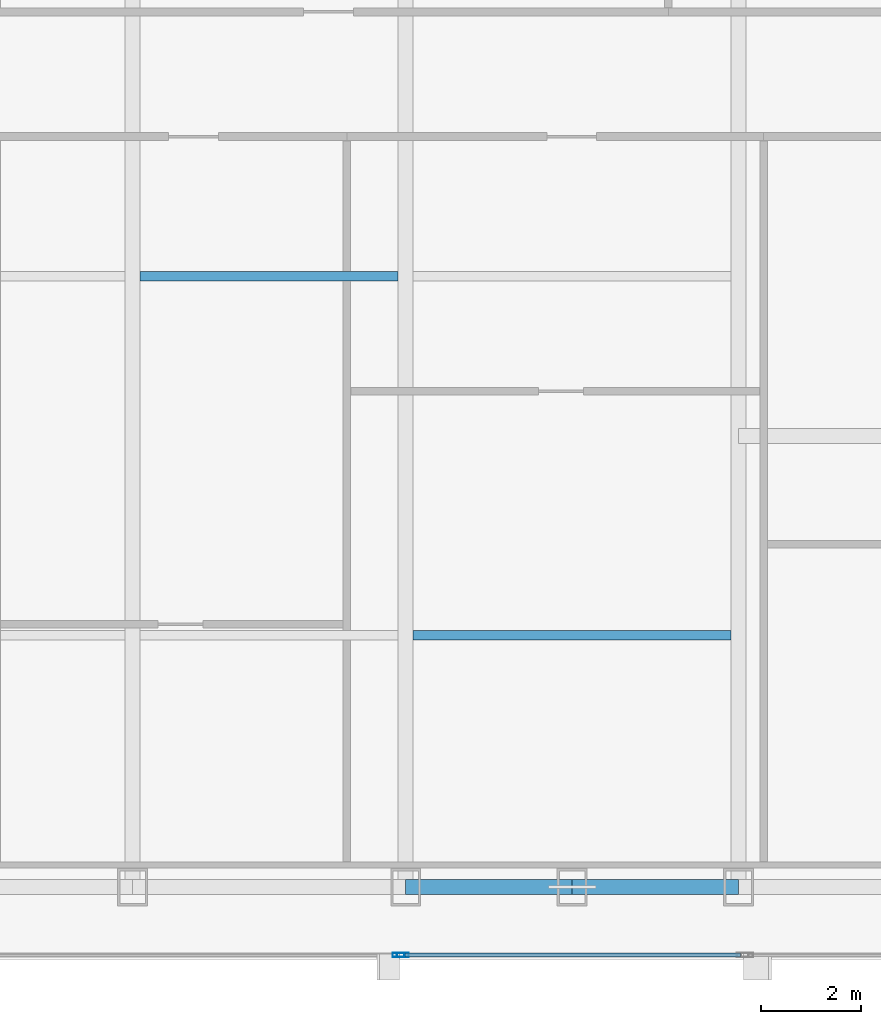
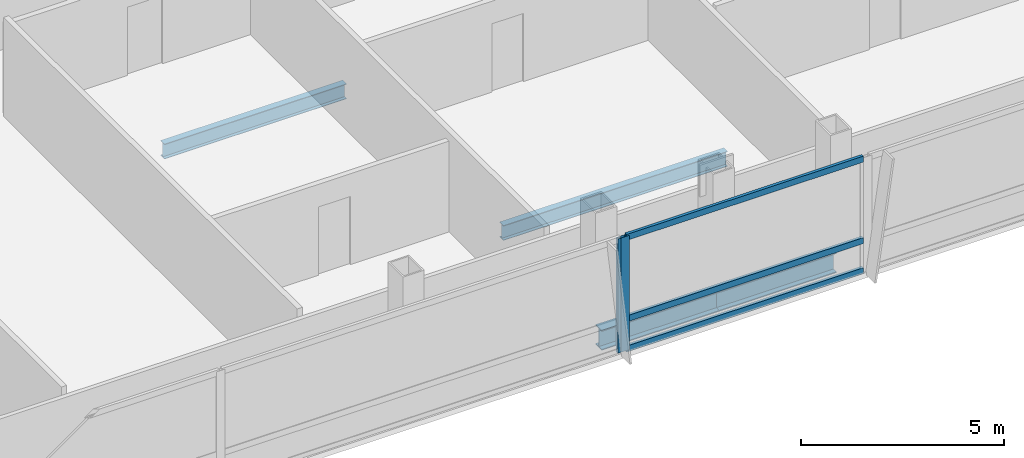
# One storey, part 14 of 32: 5 members, 4 beams, 2 elements without a shape of their own.
"""IFC4 building model written with IfcOpenShell, lengths in metres."""

from ifc_helpers import new_model, si_unit, direction, frame, origin, origin_2d, place, context, subcontext, project, spatial, hollow_rectangle, i_section, extrude, material, material_profile, profile_set, type_object, element, aggregate, save


model = new_model("IFC4")

# Units and contexts
model_context = context("Model", 3, precision=1e-05, world=origin(), true_north=direction((0.0, 1.0)))
body_context = subcontext(model_context, "Body", "Model", "MODEL_VIEW")
ifc_project = project(units=[si_unit("LENGTHUNIT", "METRE"), si_unit("AREAUNIT", "SQUARE_METRE"), si_unit("VOLUMEUNIT", "CUBIC_METRE"), si_unit("PLANEANGLEUNIT", "RADIAN"), si_unit("MASSUNIT", "GRAM", prefix="KILO")], contexts=[model_context])

# Site, building, storey
site_placement = place(None, origin())
site = spatial("IfcSite", under=ifc_project, at=site_placement, CompositionType="ELEMENT")
building_placement = place(site_placement, origin())
building = spatial("IfcBuilding", under=site, at=building_placement, Name="Khoronbel Lancet Exchange", CompositionType="ELEMENT")
storey_placement = place(building_placement, frame((0.0, 0.0, 195.800048828125)))
storey = spatial("IfcBuildingStorey", under=building, at=storey_placement, Name="L49", CompositionType="ELEMENT", Elevation=195.800048828125)

# Beams
ifc_material_1 = material(Name="Steel S355", Category="steel")
ifc_material_profile_1 = material_profile(ifc_material_1, i_section(OverallWidth=0.18994140625, OverallDepth=0.449951171875, WebThickness=0.009521484375, FlangeThickness=0.0146484375, at=origin_2d()), Name="IPE 450")
ifc_profile_set_1 = profile_set([ifc_material_profile_1], Name="Steel S355")
beam_type_1 = type_object("IfcBeamType", Name="BM-BJ4", PredefinedType="JOIST", material=ifc_profile_set_1)
beam_1_placement = place(storey_placement, frame((48.14990234375, 15.199951171875, -0.385009765625), z_axis=(1.0, 0.0, 0.0), x_axis=(0.0, 1.0, 0.0)))
element("IfcBeam", 1, at=beam_1_placement, inside=storey, type_object=beam_type_1, Name="Level L49 secondary composite joist J05", PredefinedType="JOIST", context=body_context, shape_type="SweptSolid", body=[
    extrude(i_section(OverallWidth=0.18994140625, OverallDepth=0.449951171875, WebThickness=0.009521484375, FlangeThickness=0.0146484375, at=origin_2d()), origin(), (0.0, 0.0, 1.0), 6.375),
])
beam_2_placement = place(storey_placement, frame((42.675048828125, 22.39990234375, -0.385009765625), z_axis=(1.0, 0.0, 0.0), x_axis=(0.0, 1.0, 0.0)))
element("IfcBeam", 2, at=beam_2_placement, inside=storey, type_object=beam_type_1, Name="Level L49 secondary composite joist J09", PredefinedType="JOIST", context=body_context, shape_type="SweptSolid", body=[
    extrude(i_section(OverallWidth=0.18994140625, OverallDepth=0.449951171875, WebThickness=0.009521484375, FlangeThickness=0.0146484375, at=origin_2d()), origin(), (0.0, 0.0, 1.0), 5.175048828125),
])
ifc_material_profile_2 = material_profile(ifc_material_1, i_section(OverallWidth=0.300048828125, OverallDepth=0.60009765625, WebThickness=0.015380859375, FlangeThickness=0.030029296875, at=origin_2d()), Name="HEB 600")
ifc_profile_set_2 = profile_set([ifc_material_profile_2], Name="Steel S355")
beam_type_2 = type_object("IfcBeamType", Name="BM-BSP2", PredefinedType="SPANDREL", material=ifc_profile_set_2)
beam_3_placement = place(storey_placement, frame((48.0, 10.14990234375, -0.4599609375), z_axis=(1.0, 0.0, 0.0), x_axis=(0.0, 1.0, 0.0)))
element("IfcBeam", 3, at=beam_3_placement, inside=storey, type_object=beam_type_2, Name="Level L49 perimeter spandrel beam SP07", PredefinedType="SPANDREL", context=body_context, shape_type="SweptSolid", body=[
    extrude(i_section(OverallWidth=0.300048828125, OverallDepth=0.60009765625, WebThickness=0.015380859375, FlangeThickness=0.030029296875, at=origin_2d()), origin(), (0.0, 0.0, 1.0), 3.33740234375),
])
beam_4_placement = place(storey_placement, frame((51.33740234375, 10.14990234375, -0.4599609375), z_axis=(1.0, 0.0, 0.0), x_axis=(0.0, 1.0, 0.0)))
element("IfcBeam", 4, at=beam_4_placement, inside=storey, type_object=beam_type_2, Name="Level L49 perimeter spandrel beam SP08", PredefinedType="SPANDREL", context=body_context, shape_type="SweptSolid", body=[
    extrude(i_section(OverallWidth=0.300048828125, OverallDepth=0.60009765625, WebThickness=0.015380859375, FlangeThickness=0.030029296875, at=origin_2d()), origin(), (0.0, 0.0, 1.0), 3.337646484375),
])

# Curtain wall, member
ifc_material_2 = material(Name="Low-E Solar Control Insulating Glass", Category="glass")
curtain_wall_type = type_object("IfcCurtainWallType", Name="CW-3", PredefinedType="NOTDEFINED", material=ifc_material_2)
curtain_wall_1_placement = place(storey_placement, origin())
curtain_wall_1 = element("IfcCurtainWall", 5, at=curtain_wall_1_placement, inside=storey, type_object=curtain_wall_type, Name="Unitised curtain wall CW-L49-SCV", PredefinedType="NOTDEFINED")
ifc_material_3 = material(Name="Bronze-Anodised Aluminium 6063-T6", Category="aluminium")
ifc_material_profile_3 = material_profile(ifc_material_3, hollow_rectangle(XDim=0.0849609375, YDim=0.239990234375, WallThickness=0.006103515625, at=origin_2d()), Name="ALU MULLION 85x240")
ifc_profile_set_3 = profile_set([ifc_material_profile_3], Name="Bronze-Anodised Aluminium 6063-T6")
member_type_1 = type_object("IfcMemberType", Name="MEM-CWM1", PredefinedType="MULLION", material=ifc_profile_set_3)
member_1_placement = place(storey_placement, frame((47.857421875, 8.7900390625, 0.0), z_axis=(0.0, 0.0, 1.0), x_axis=(0.0, 1.0, 0.0)))
member_1 = element("IfcMember", 6, at=member_1_placement, type_object=member_type_1, Name="CW3 mullion 3", PredefinedType="MULLION", context=body_context, shape_type="SweptSolid", body=[
    extrude(hollow_rectangle(XDim=0.0849609375, YDim=0.239990234375, WallThickness=0.006103515625, at=origin_2d()), origin(), (0.0, 0.0, 1.0), 3.43994140625),
])
aggregate(curtain_wall_1, [member_1])

# Curtain wall, members
curtain_wall_2_placement = place(storey_placement, origin())
curtain_wall_2 = element("IfcCurtainWall", 7, at=curtain_wall_2_placement, inside=storey, type_object=curtain_wall_type, Name="Unitised curtain wall CW-L49-SEB", PredefinedType="NOTDEFINED")
member_2_placement = place(storey_placement, frame((47.9423828125, 8.7900390625, 0.0), z_axis=(0.0, 0.0, 1.0), x_axis=(0.0, 1.0, 0.0)))
member_2 = element("IfcMember", 8, at=member_2_placement, type_object=member_type_1, Name="CW3 mullion 1", PredefinedType="MULLION", context=body_context, shape_type="SweptSolid", body=[
    extrude(hollow_rectangle(XDim=0.0849609375, YDim=0.239990234375, WallThickness=0.006103515625, at=origin_2d()), origin(), (0.0, 0.0, 1.0), 3.43994140625),
])
ifc_material_profile_4 = material_profile(ifc_material_3, hollow_rectangle(XDim=0.0849609375, YDim=0.179931640625, WallThickness=0.0048828125, at=origin_2d()), Name="ALU TRANSOM 85x180")
ifc_profile_set_4 = profile_set([ifc_material_profile_4], Name="Bronze-Anodised Aluminium 6063-T6")
member_type_2 = type_object("IfcMemberType", Name="MEM-CWT1", PredefinedType="USERDEFINED", material=ifc_profile_set_4)
member_3_placement = place(storey_placement, frame((47.985107421875, 8.7900390625, 0.04248046875), z_axis=(1.0, 0.0, 0.0), x_axis=(0.0, 1.0, 0.0)))
member_3 = element("IfcMember", 9, at=member_3_placement, type_object=member_type_2, Name="CW3 transom 1.1", ObjectType="TRANSOM", PredefinedType="USERDEFINED", context=body_context, shape_type="SweptSolid", body=[
    extrude(hollow_rectangle(XDim=0.0849609375, YDim=0.179931640625, WallThickness=0.0048828125, at=origin_2d()), origin(), (0.0, 0.0, 1.0), 6.72998046875),
])
member_4_placement = place(storey_placement, frame((47.985107421875, 8.7900390625, 0.949951171875), z_axis=(1.0, 0.0, 0.0), x_axis=(0.0, 1.0, 0.0)))
member_4 = element("IfcMember", 10, at=member_4_placement, type_object=member_type_2, Name="CW3 transom 1.2", ObjectType="TRANSOM", PredefinedType="USERDEFINED", context=body_context, shape_type="SweptSolid", body=[
    extrude(hollow_rectangle(XDim=0.0849609375, YDim=0.179931640625, WallThickness=0.0048828125, at=origin_2d()), origin(), (0.0, 0.0, 1.0), 6.72998046875),
])
member_5_placement = place(storey_placement, frame((47.985107421875, 8.7900390625, 3.3974609375), z_axis=(1.0, 0.0, 0.0), x_axis=(0.0, 1.0, 0.0)))
member_5 = element("IfcMember", 11, at=member_5_placement, type_object=member_type_2, Name="CW3 transom 1.3", ObjectType="TRANSOM", PredefinedType="USERDEFINED", context=body_context, shape_type="SweptSolid", body=[
    extrude(hollow_rectangle(XDim=0.0849609375, YDim=0.179931640625, WallThickness=0.0048828125, at=origin_2d()), origin(), (0.0, 0.0, 1.0), 6.72998046875),
])
aggregate(curtain_wall_2, [member_2, member_3, member_4, member_5])

save(model, "model.ifc")
